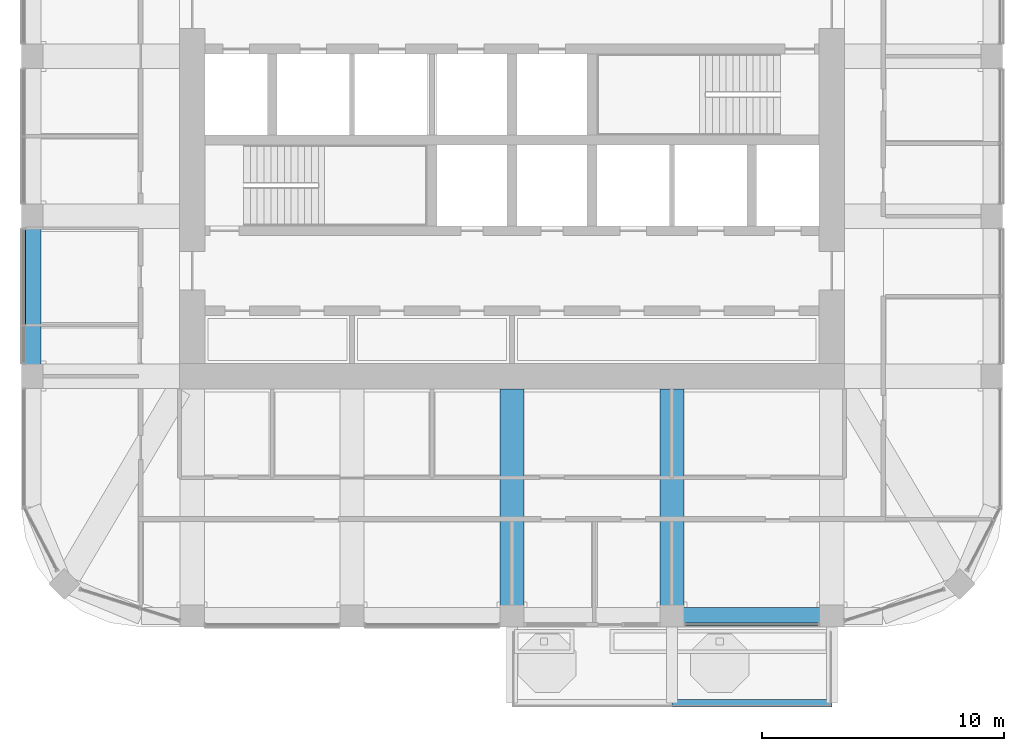
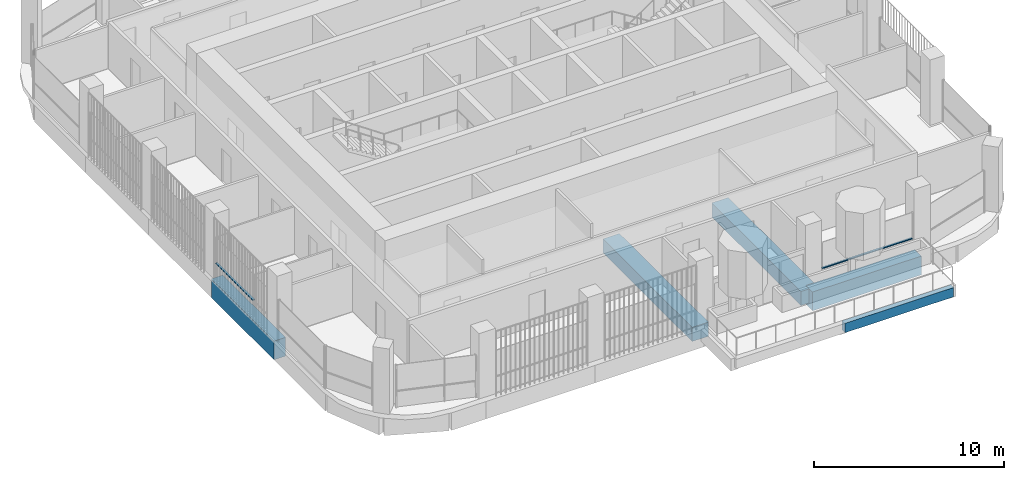
# One storey, part 3 of 21: 5 beams, 2 members, 2 elements without a shape of their own.
"""IFC4 building model written with IfcOpenShell, lengths in metres."""

from ifc_helpers import new_model, si_unit, direction, frame, origin, origin_2d, place, context, subcontext, project, spatial, rectangle, extrude, material, material_profile, profile_set, type_object, element, aggregate, save


model = new_model("IFC4")

# Units and contexts
model_context = context("Model", 3, precision=1e-05, world=origin(), true_north=direction((0.0, 1.0)))
body_context = subcontext(model_context, "Body", "Model", "MODEL_VIEW")
ifc_project = project(units=[si_unit("LENGTHUNIT", "METRE"), si_unit("AREAUNIT", "SQUARE_METRE"), si_unit("VOLUMEUNIT", "CUBIC_METRE"), si_unit("PLANEANGLEUNIT", "RADIAN"), si_unit("MASSUNIT", "GRAM", prefix="KILO")], contexts=[model_context])

# Site, building, storey
site_placement = place(None, origin())
site = spatial("IfcSite", under=ifc_project, at=site_placement, CompositionType="ELEMENT")
building_placement = place(site_placement, origin())
building = spatial("IfcBuilding", under=site, at=building_placement, Name="Cobogo Forest Laboratory Tower", CompositionType="ELEMENT")
storey_placement = place(building_placement, frame((0.0, 0.0, 267.0)))
storey = spatial("IfcBuildingStorey", under=building, at=storey_placement, Name="L61", CompositionType="ELEMENT", Elevation=267.0)

# Beams
ifc_material_1 = material(Name="Concrete HA-40 (C40/50)", Category="concrete")
ifc_material_profile_1 = material_profile(ifc_material_1, rectangle(XDim=0.300048828125, YDim=0.60009765625, at=origin_2d()), Name="RC 300x600")
ifc_profile_set_1 = profile_set([ifc_material_profile_1], Name="Concrete HA-40 (C40/50)")
beam_type_1 = type_object("IfcBeamType", Name="Balcony edge beam 300x600", PredefinedType="BEAM", material=ifc_profile_set_1)
beam_placement = place(storey_placement, frame((33.0, -0.300048828125, -0.550048828125), z_axis=(1.0, 0.0, 0.0), x_axis=(0.0, 1.0, 0.0)))
element("IfcBeam", 1, at=beam_placement, inside=storey, type_object=beam_type_1, Name="BB1 BAL-S1-T2 L61", PredefinedType="BEAM", context=body_context, shape_type="SweptSolid", body=[
    extrude(rectangle(XDim=0.300048828125, YDim=0.60009765625, at=origin_2d()), origin(), (0.0, 0.0, 1.0), 6.60009765625),
])
ifc_material_profile_2 = material_profile(ifc_material_1, rectangle(XDim=1.0, YDim=0.89990234375, at=origin_2d()), Name="RC 1000x900")
ifc_profile_set_2 = profile_set([ifc_material_profile_2], Name="Concrete HA-40 (C40/50)")
beam_type_2 = type_object("IfcBeamType", Name="Office floor wide beam 1000x900", PredefinedType="BEAM", material=ifc_profile_set_2)
for number, where, z_axis, x_axis, name in (
    (2, (26.39990234375, 12.675048828125, -0.75), (0.0, -1.0, 0.0), (1.0, 0.0, 0.0), "RB2 R-5-S L61"),
    (3, (33.0, 12.675048828125, -0.75), (0.0, -1.0, 0.0), (1.0, 0.0, 0.0), "RB2 R-6-S L61"),
):
    element("IfcBeam", number, at=place(storey_placement, frame(where, z_axis=z_axis, x_axis=x_axis)), inside=storey, type_object=beam_type_2, Name=name, PredefinedType="BEAM", context=body_context, shape_type="SweptSolid", body=[
        extrude(rectangle(XDim=1.0, YDim=0.89990234375, at=origin_2d()), origin(), (0.0, 0.0, 1.0), 9.375),
    ])
ifc_material_profile_3 = material_profile(ifc_material_1, rectangle(XDim=0.699951171875, YDim=1.199951171875, at=origin_2d()), Name="RC 700x1200")
ifc_profile_set_3 = profile_set([ifc_material_profile_3], Name="Concrete HA-40 (C40/50)")
beam_type_3 = type_object("IfcBeamType", Name="Perimeter edge beam 700x1200", PredefinedType="BEAM", material=ifc_profile_set_3)
for number, where, z_axis, x_axis, name in (
    (4, (33.0, 3.300048828125, -0.89990234375), (1.0, 0.0, 0.0), (0.0, 1.0, 0.0), "EB1 E-S4 L61"),
    (5, (6.60009765625, 13.199951171875, -0.89990234375), (0.0, 1.0, 0.0), (-1.0, 0.0, 0.0), "EB1 E-W1 L61"),
):
    element("IfcBeam", number, at=place(storey_placement, frame(where, z_axis=z_axis, x_axis=x_axis)), inside=storey, type_object=beam_type_3, Name=name, PredefinedType="BEAM", context=body_context, shape_type="SweptSolid", body=[
        extrude(rectangle(XDim=0.699951171875, YDim=1.199951171875, at=origin_2d()), origin(), (0.0, 0.0, 1.0), 6.60009765625),
    ])

# Curtain wall, member
ifc_material_2 = material(Name="Aluminium curtain wall", Category="aluminium")
curtain_wall_type = type_object("IfcCurtainWallType", Name="CW-2 unitised curtain wall, solar control glazing, laboratory floors zones C and D", PredefinedType="USERDEFINED", material=ifc_material_2)
curtain_wall_1_placement = place(storey_placement, origin())
curtain_wall_1 = element("IfcCurtainWall", 6, at=curtain_wall_1_placement, inside=storey, type_object=curtain_wall_type, Name="Curtain wall 04 L61", ObjectType="UNITISED CURTAIN WALL", PredefinedType="USERDEFINED")
ifc_material_3 = material(Name="Aluminium transom", Category="aluminium")
ifc_material_profile_4 = material_profile(ifc_material_3, rectangle(XDim=0.1201171875, YDim=0.06005859375, at=origin_2d()), Name="AL 60x120")
ifc_profile_set_4 = profile_set([ifc_material_profile_4], Name="Aluminium transom")
member_type = type_object("IfcMemberType", Name="TR-1 aluminium transom 60x120", PredefinedType="USERDEFINED", material=ifc_profile_set_4)
member_1_placement = place(storey_placement, frame((33.56005859375, 2.949951171875, 1.050048828125), z_axis=(1.0, 0.0, 0.0), x_axis=(0.0, 1.0, 0.0)))
member_1 = element("IfcMember", 7, at=member_1_placement, type_object=member_type, Name="CW-2 transom 1.1", ObjectType="TRANSOM", PredefinedType="USERDEFINED", context=body_context, shape_type="SweptSolid", body=[
    extrude(rectangle(XDim=0.1201171875, YDim=0.06005859375, at=origin_2d()), origin(), (0.0, 0.0, 1.0), 5.47998046875),
])
aggregate(curtain_wall_1, [member_1])

curtain_wall_2_placement = place(storey_placement, origin())
curtain_wall_2 = element("IfcCurtainWall", 8, at=curtain_wall_2_placement, inside=storey, type_object=curtain_wall_type, Name="Curtain wall 23 L61", ObjectType="UNITISED CURTAIN WALL", PredefinedType="USERDEFINED")
member_2_placement = place(storey_placement, frame((6.25, 19.239990234375, 1.050048828125), z_axis=(0.0, -1.0, 0.0), x_axis=(1.0, 0.0, 0.0)))
member_2 = element("IfcMember", 9, at=member_2_placement, type_object=member_type, Name="CW-2 transom 1.1", ObjectType="TRANSOM", PredefinedType="USERDEFINED", context=body_context, shape_type="SweptSolid", body=[
    extrude(rectangle(XDim=0.1201171875, YDim=0.06005859375, at=origin_2d()), origin(), (0.0, 0.0, 1.0), 3.909912109375),
])
aggregate(curtain_wall_2, [member_2])

save(model, "model.ifc")
